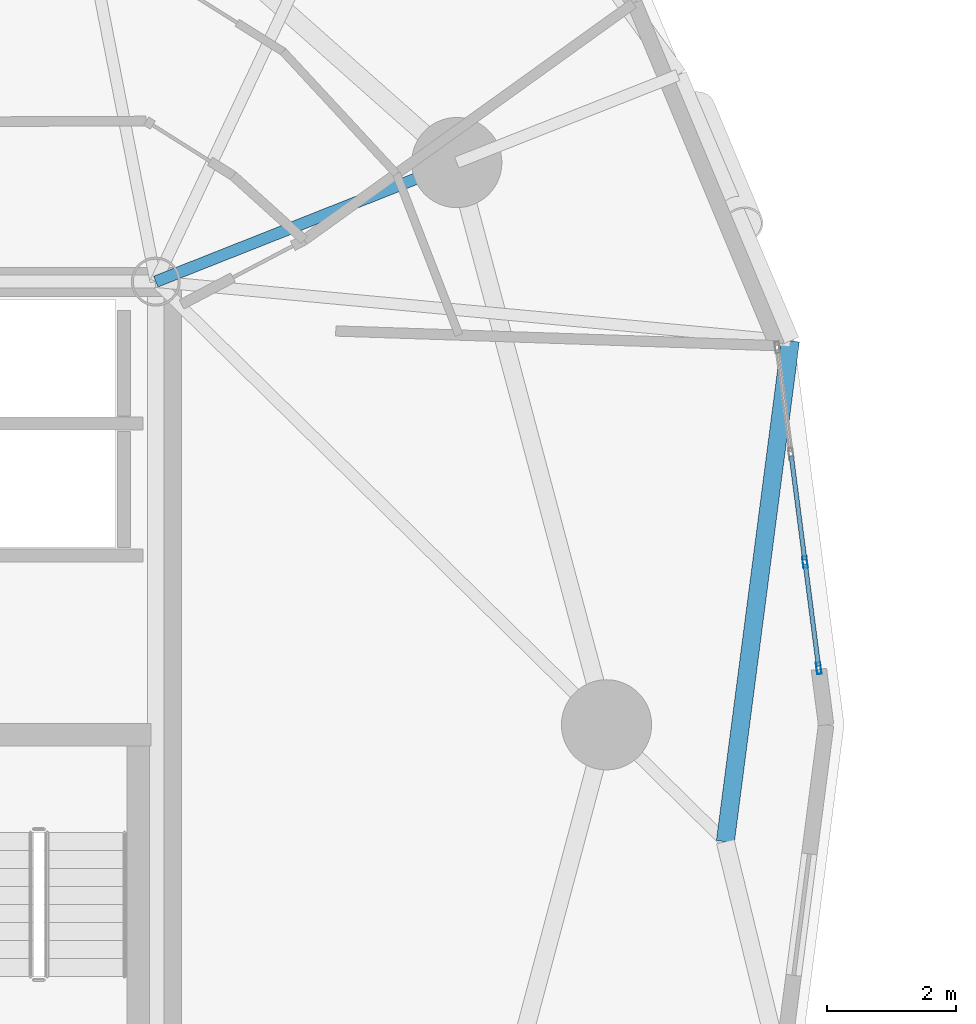
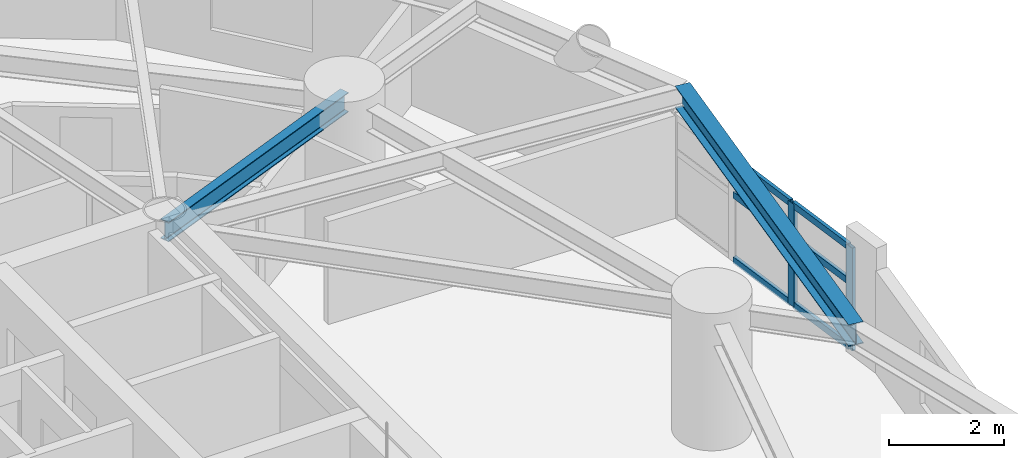
# One storey, part 2 of 18: 8 members, 2 beams, 1 element without a shape of its own.
"""IFC4 building model written with IfcOpenShell, lengths in metres."""

from ifc_helpers import new_model, si_unit, direction, frame, origin, origin_2d, place, context, subcontext, project, spatial, hollow_rectangle, i_section, extrude, material, layer, layer_set, material_profile, profile_set, type_object, element, aggregate, save


model = new_model("IFC4")

# Units and contexts
model_context = context("Model", 3, precision=1e-05, world=origin(), true_north=direction((0.0, 1.0)))
body_context = subcontext(model_context, "Body", "Model", "MODEL_VIEW")
ifc_project = project(units=[si_unit("LENGTHUNIT", "METRE"), si_unit("AREAUNIT", "SQUARE_METRE"), si_unit("VOLUMEUNIT", "CUBIC_METRE"), si_unit("PLANEANGLEUNIT", "RADIAN"), si_unit("MASSUNIT", "GRAM", prefix="KILO")], contexts=[model_context])

# Site, building, storey
site_placement = place(None, origin())
site = spatial("IfcSite", under=ifc_project, at=site_placement, CompositionType="ELEMENT")
building_placement = place(site_placement, origin())
building = spatial("IfcBuilding", under=site, at=building_placement, Name="Cununo Teusaquillo Station Towers", CompositionType="ELEMENT")
storey_placement = place(building_placement, frame((0.0, 0.0, 105.070068359375)))
storey = spatial("IfcBuildingStorey", under=building, at=storey_placement, Name="L33", CompositionType="ELEMENT", Elevation=105.070068359375)

# Beams
ifc_material_1 = material(Name="Steel ASTM A572 Grade 50", Category="steel")
ifc_material_profile_1 = material_profile(ifc_material_1, i_section(OverallWidth=0.180908203125, OverallDepth=0.4169921875, WebThickness=0.010986328125, FlangeThickness=0.018310546875, FilletRadius=0.012939453125, at=origin_2d()), Name="W16X57")
ifc_profile_set_1 = profile_set([ifc_material_profile_1], Name="Steel ASTM A572 Grade 50")
beam_type_1 = type_object("IfcBeamType", Name="BM-RAD-G2", PredefinedType="BEAM", material=ifc_profile_set_1)
beam_1_placement = place(storey_placement, frame((21.675048828125, 31.3798828125, 2.46142578125), z_axis=(0.929864104313, 0.367903176814, 0.0), x_axis=(-0.367903176814, 0.929864104313, 0.0)))
element("IfcBeam", 1, at=beam_1_placement, inside=storey, type_object=beam_type_1, Name="L33 Tower A Radial Girder 02A", PredefinedType="BEAM", context=body_context, shape_type="SweptSolid", body=[
    extrude(i_section(OverallWidth=0.180908203125, OverallDepth=0.4169921875, WebThickness=0.010986328125, FlangeThickness=0.018310546875, FilletRadius=0.012939453125, at=origin_2d()), origin(), (0.0, 0.0, 1.0), 5.02490234375),
])
ifc_material_2 = material(Name="Steel ASTM A572 Grade 50", Category="steel")
ifc_material_profile_2 = material_profile(ifc_material_2, i_section(OverallWidth=0.280029296875, OverallDepth=0.462890625, WebThickness=0.0107421875, FlangeThickness=0.017333984375, FilletRadius=0.013916015625, at=origin_2d()), Name="W18X76")
ifc_profile_set_2 = profile_set([ifc_material_profile_2], Name="Steel ASTM A572 Grade 50")
beam_type_2 = type_object("IfcBeamType", Name="BM-RING-Z2", PredefinedType="SPANDREL", material=ifc_profile_set_2)
beam_2_placement = place(storey_placement, frame((30.51708984375, 22.685791015625, 2.4384765625), z_axis=(0.12888124113, 0.991660035337, 0.0), x_axis=(-0.991660035337, 0.12888124113, 0.0)))
element("IfcBeam", 2, at=beam_2_placement, inside=storey, type_object=beam_type_2, Name="L33 Tower A Spandrel Ring Beam 01", PredefinedType="SPANDREL", context=body_context, shape_type="SweptSolid", body=[
    extrude(i_section(OverallWidth=0.280029296875, OverallDepth=0.462890625, WebThickness=0.0107421875, FlangeThickness=0.017333984375, FilletRadius=0.013916015625, at=origin_2d()), origin(), (0.0, 0.0, 1.0), 7.840576171875),
])

# Curtain wall, members
ifc_material_3 = material(Name="Ceramic-fritted dark low-E double glazing", Category="glass")
ifc_layer = layer(ifc_material_3, 0.179931640625)
ifc_layer_set = layer_set([ifc_layer], Name="Ceramic-fritted dark low-E double glazing")
curtain_wall_type = type_object("IfcCurtainWallType", Name="CW-SYS-04", PredefinedType="USERDEFINED", material=ifc_layer_set)
curtain_wall_placement = place(storey_placement, origin())
curtain_wall = element("IfcCurtainWall", 3, at=curtain_wall_placement, inside=storey, type_object=curtain_wall_type, Name="L33 Tower A Facade Curtain Wall C00", ObjectType="FRITTED GLAZING", PredefinedType="USERDEFINED")
ifc_material_4 = material(Name="Anodised dark bronze aluminium EN AW-6063-T6", Category="aluminium")
ifc_material_profile_3 = material_profile(ifc_material_4, hollow_rectangle(XDim=0.070068359375, YDim=0.179931640625, WallThickness=0.00390625, at=origin_2d()), Name="CW-MULL-70x180")
ifc_profile_set_3 = profile_set([ifc_material_profile_3], Name="Anodised dark bronze aluminium EN AW-6063-T6")
member_type_1 = type_object("IfcMemberType", Name="CWM-180", PredefinedType="MULLION", material=ifc_profile_set_3)
member_1_placement = place(storey_placement, frame((31.754150390625, 27.0263671875, 0.0), z_axis=(0.0, 0.0, 1.0), x_axis=(0.991730764367, 0.128335852387, 0.0)))
member_1 = element("IfcMember", 4, at=member_1_placement, type_object=member_type_1, Name="CW-04 mullion 3", PredefinedType="MULLION", context=body_context, shape_type="SweptSolid", body=[
    extrude(hollow_rectangle(XDim=0.070068359375, YDim=0.179931640625, WallThickness=0.00390625, at=origin_2d()), origin(), (0.0, 0.0, 1.0), 2.178955078125),
])
member_2_placement = place(storey_placement, frame((31.967529296875, 25.377685546875, 0.0), z_axis=(0.0, 0.0, 1.0), x_axis=(0.991730764367, 0.128335852387, 0.0)))
member_2 = element("IfcMember", 5, at=member_2_placement, type_object=member_type_1, Name="CW-04 mullion 4", PredefinedType="MULLION", context=body_context, shape_type="SweptSolid", body=[
    extrude(hollow_rectangle(XDim=0.070068359375, YDim=0.179931640625, WallThickness=0.00390625, at=origin_2d()), origin(), (0.0, 0.0, 1.0), 2.178955078125),
])
ifc_material_5 = material(Name="Anodised dark bronze aluminium EN AW-6063-T6", Category="aluminium")
ifc_material_profile_4 = material_profile(ifc_material_5, hollow_rectangle(XDim=0.070068359375, YDim=0.139892578125, WallThickness=0.00390625, at=origin_2d()), Name="CW-TRAN-70x140")
ifc_profile_set_4 = profile_set([ifc_material_profile_4], Name="Anodised dark bronze aluminium EN AW-6063-T6")
member_type_2 = type_object("IfcMemberType", Name="CWT-140", PredefinedType="USERDEFINED", material=ifc_profile_set_4)
member_3_placement = place(storey_placement, frame((31.540771484375, 28.675048828125, 0.034912109375), z_axis=(0.128261686134, -0.991740359101, 0.0), x_axis=(0.991740359101, 0.128261686134, 0.0)))
member_3 = element("IfcMember", 6, at=member_3_placement, type_object=member_type_2, Name="CW-04 transom 2.1", ObjectType="TRANSOM", PredefinedType="USERDEFINED", context=body_context, shape_type="SweptSolid", body=[
    extrude(hollow_rectangle(XDim=0.070068359375, YDim=0.139892578125, WallThickness=0.00390625, at=origin_2d()), origin(), (0.0, 0.0, 1.0), 1.62744140625),
])
member_4_placement = place(storey_placement, frame((31.540771484375, 28.675048828125, 1.416015625), z_axis=(0.128261686134, -0.991740359101, 0.0), x_axis=(0.991740359101, 0.128261686134, 0.0)))
member_4 = element("IfcMember", 7, at=member_4_placement, type_object=member_type_2, Name="CW-04 transom 2.2", ObjectType="TRANSOM", PredefinedType="USERDEFINED", context=body_context, shape_type="SweptSolid", body=[
    extrude(hollow_rectangle(XDim=0.070068359375, YDim=0.139892578125, WallThickness=0.00390625, at=origin_2d()), origin(), (0.0, 0.0, 1.0), 1.62744140625),
])
member_5_placement = place(storey_placement, frame((31.540771484375, 28.675048828125, 2.14404296875), z_axis=(0.128261686134, -0.991740359101, 0.0), x_axis=(0.991740359101, 0.128261686134, 0.0)))
member_5 = element("IfcMember", 8, at=member_5_placement, type_object=member_type_2, Name="CW-04 transom 2.3", ObjectType="TRANSOM", PredefinedType="USERDEFINED", context=body_context, shape_type="SweptSolid", body=[
    extrude(hollow_rectangle(XDim=0.070068359375, YDim=0.139892578125, WallThickness=0.00390625, at=origin_2d()), origin(), (0.0, 0.0, 1.0), 1.62744140625),
])
member_6_placement = place(storey_placement, frame((31.758544921875, 26.99169921875, 0.034912109375), z_axis=(0.128316698748, -0.991733242774, 0.0), x_axis=(0.991733242774, 0.128316698748, 0.0)))
member_6 = element("IfcMember", 9, at=member_6_placement, type_object=member_type_2, Name="CW-04 transom 3.1", ObjectType="TRANSOM", PredefinedType="USERDEFINED", context=body_context, shape_type="SweptSolid", body=[
    extrude(hollow_rectangle(XDim=0.070068359375, YDim=0.139892578125, WallThickness=0.00390625, at=origin_2d()), origin(), (0.0, 0.0, 1.0), 1.592529296875),
])
member_7_placement = place(storey_placement, frame((31.758544921875, 26.99169921875, 1.416015625), z_axis=(0.128316698748, -0.991733242774, 0.0), x_axis=(0.991733242774, 0.128316698748, 0.0)))
member_7 = element("IfcMember", 10, at=member_7_placement, type_object=member_type_2, Name="CW-04 transom 3.2", ObjectType="TRANSOM", PredefinedType="USERDEFINED", context=body_context, shape_type="SweptSolid", body=[
    extrude(hollow_rectangle(XDim=0.070068359375, YDim=0.139892578125, WallThickness=0.00390625, at=origin_2d()), origin(), (0.0, 0.0, 1.0), 1.592529296875),
])
member_8_placement = place(storey_placement, frame((31.758544921875, 26.99169921875, 2.14404296875), z_axis=(0.128316698748, -0.991733242774, 0.0), x_axis=(0.991733242774, 0.128316698748, 0.0)))
member_8 = element("IfcMember", 11, at=member_8_placement, type_object=member_type_2, Name="CW-04 transom 3.3", ObjectType="TRANSOM", PredefinedType="USERDEFINED", context=body_context, shape_type="SweptSolid", body=[
    extrude(hollow_rectangle(XDim=0.070068359375, YDim=0.139892578125, WallThickness=0.00390625, at=origin_2d()), origin(), (0.0, 0.0, 1.0), 1.592529296875),
])
aggregate(curtain_wall, [member_1, member_2, member_3, member_4, member_5, member_6, member_7, member_8])

save(model, "model.ifc")
